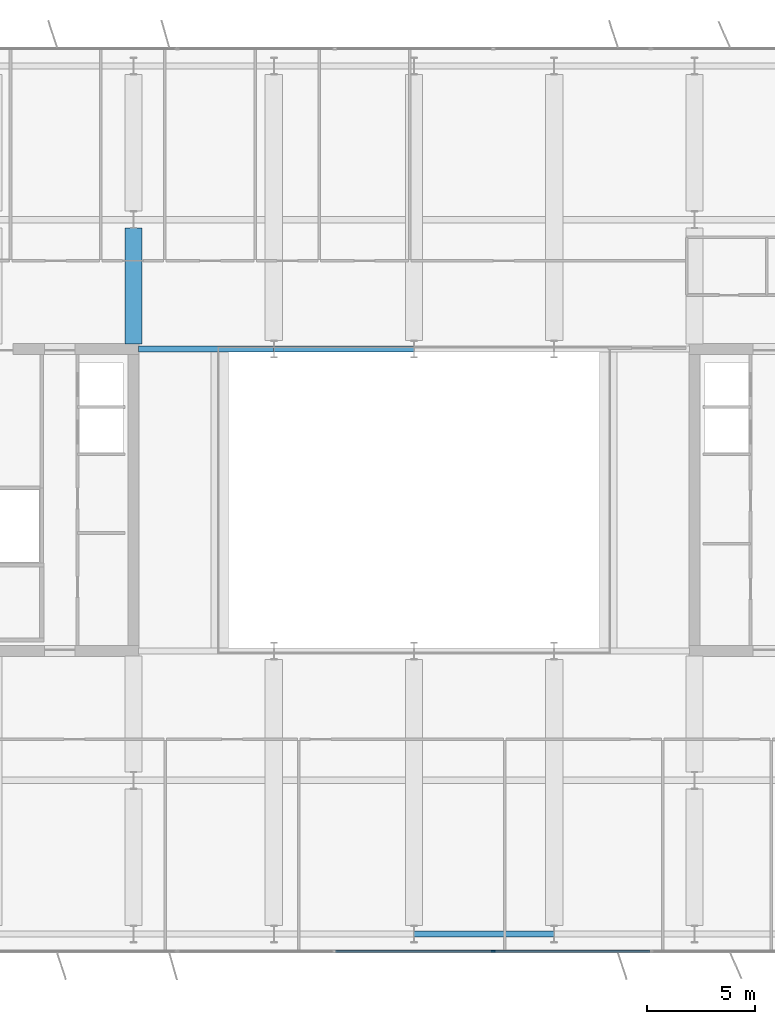
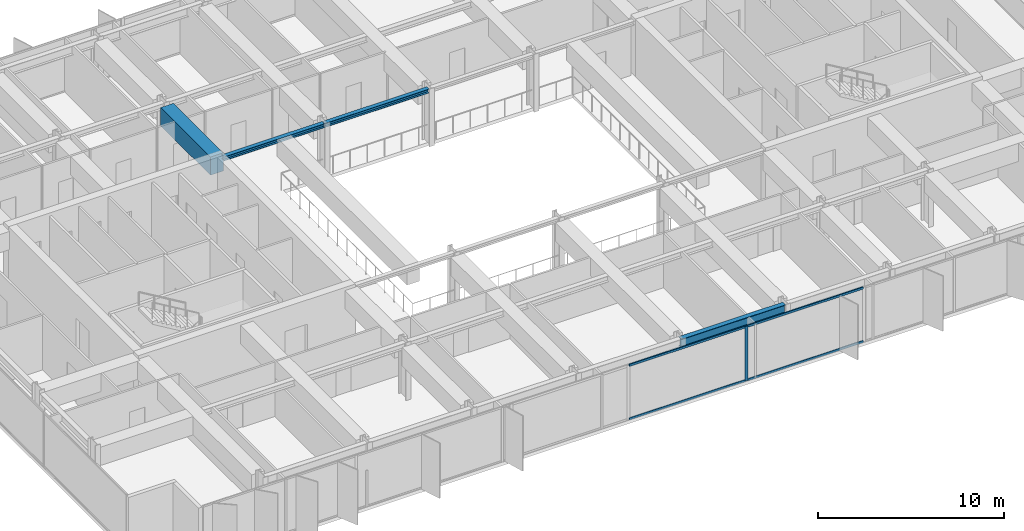
# One storey, part 6 of 24: 5 members, 4 beams, 1 element without a shape of its own.
"""IFC4 building model written with IfcOpenShell, lengths in metres."""

from ifc_helpers import new_model, si_unit, direction, frame, origin, origin_2d, place, context, subcontext, project, spatial, rectangle, i_section, extrude, material, layer, layer_set, material_profile, profile_set, type_object, element, aggregate, save


model = new_model("IFC4")

# Units and contexts
model_context = context("Model", 3, precision=1e-05, world=origin(), true_north=direction((0.0, 1.0)))
body_context = subcontext(model_context, "Body", "Model", "MODEL_VIEW")
ifc_project = project(units=[si_unit("LENGTHUNIT", "METRE"), si_unit("AREAUNIT", "SQUARE_METRE"), si_unit("VOLUMEUNIT", "CUBIC_METRE"), si_unit("PLANEANGLEUNIT", "RADIAN"), si_unit("MASSUNIT", "GRAM", prefix="KILO")], contexts=[model_context])

# Site, building, storey
site_placement = place(None, origin())
site = spatial("IfcSite", under=ifc_project, at=site_placement, CompositionType="ELEMENT")
building_placement = place(site_placement, origin())
building = spatial("IfcBuilding", under=site, at=building_placement, Name="Putna Gate Headquarters", CompositionType="ELEMENT")
storey_placement = place(building_placement, frame((0.0, 0.0, 251.800048828125)))
storey = spatial("IfcBuildingStorey", under=building, at=storey_placement, Name="L63", CompositionType="ELEMENT", Elevation=251.800048828125)

# Beams
ifc_material_1 = material(Name="Steel S355J2", Category="steel")
ifc_material_profile_1 = material_profile(ifc_material_1, i_section(OverallWidth=0.260009765625, OverallDepth=0.260009765625, WebThickness=0.010009765625, FlangeThickness=0.017578125, at=origin_2d()), Name="Steel S355J2")
ifc_profile_set_1 = profile_set([ifc_material_profile_1], Name="Steel S355J2")
beam_type_1 = type_object("IfcBeamType", Name="BM-ATRIUM-HEB260", PredefinedType="BEAM", material=ifc_profile_set_1)
beam_1_placement = place(storey_placement, frame((26.235107421875, 33.0, 3.4580078125), z_axis=(1.0, 0.0, 0.0), x_axis=(0.0, 1.0, 0.0)))
element("IfcBeam", 1, at=beam_1_placement, inside=storey, type_object=beam_type_1, Name="L63 Atrium Edge Beam AN1", PredefinedType="BEAM", context=body_context, shape_type="SweptSolid", body=[
    extrude(i_section(OverallWidth=0.260009765625, OverallDepth=0.260009765625, WebThickness=0.010009765625, FlangeThickness=0.017578125, at=origin_2d()), origin(), (0.0, 0.0, 1.0), 6.2587890625),
])
beam_2_placement = place(storey_placement, frame((32.506103515625, 33.0, 3.4580078125), z_axis=(1.0, 0.0, 0.0), x_axis=(0.0, 1.0, 0.0)))
element("IfcBeam", 2, at=beam_2_placement, inside=storey, type_object=beam_type_1, Name="L63 Atrium Edge Beam AN2", PredefinedType="BEAM", context=body_context, shape_type="SweptSolid", body=[
    extrude(i_section(OverallWidth=0.260009765625, OverallDepth=0.260009765625, WebThickness=0.010009765625, FlangeThickness=0.017578125, at=origin_2d()), origin(), (0.0, 0.0, 1.0), 6.48779296875),
])
ifc_material_profile_2 = material_profile(ifc_material_1, i_section(OverallWidth=0.300048828125, OverallDepth=0.590087890625, WebThickness=0.012939453125, FlangeThickness=0.02490234375, at=origin_2d()), Name="Steel S355J2")
ifc_profile_set_2 = profile_set([ifc_material_profile_2], Name="Steel S355J2")
beam_type_2 = type_object("IfcBeamType", Name="BM-SPAN-Z4-HEA600", PredefinedType="SPANDREL", material=ifc_profile_set_2)
beam_3_placement = place(storey_placement, frame((39.006103515625, 5.8798828125, 3.29296875), z_axis=(1.0, 0.0, 0.0), x_axis=(0.0, 1.0, 0.0)))
element("IfcBeam", 3, at=beam_3_placement, inside=storey, type_object=beam_type_2, Name="L63 S Perimeter Spandrel 5", PredefinedType="SPANDREL", context=body_context, shape_type="SweptSolid", body=[
    extrude(i_section(OverallWidth=0.300048828125, OverallDepth=0.590087890625, WebThickness=0.012939453125, FlangeThickness=0.02490234375, at=origin_2d()), origin(), (0.0, 0.0, 1.0), 6.48779296875),
])
ifc_material_2 = material(Name="Concrete C50/60", Category="concrete")
ifc_material_profile_3 = material_profile(ifc_material_2, rectangle(XDim=0.800048828125, YDim=1.199951171875, at=origin_2d()), Name="Concrete C50/60")
ifc_profile_set_3 = profile_set([ifc_material_profile_3], Name="Concrete C50/60")
beam_type_3 = type_object("IfcBeamType", Name="BM-TG-RC1200", PredefinedType="USERDEFINED", material=ifc_profile_set_3)
beam_4_placement = place(storey_placement, frame((26.0, 33.235107421875, 2.988037109375), z_axis=(0.0, 1.0, 0.0), x_axis=(-1.0, 0.0, 0.0)))
element("IfcBeam", 4, at=beam_4_placement, inside=storey, type_object=beam_type_3, Name="L63 North Primary Girder X26-1", ObjectType="GIRDER", PredefinedType="USERDEFINED", context=body_context, shape_type="SweptSolid", body=[
    extrude(rectangle(XDim=0.800048828125, YDim=1.199951171875, at=origin_2d()), origin(), (0.0, 0.0, 1.0), 5.369873046875),
])

# Curtain wall, members
ifc_material_3 = material(Name="Anodised bronze aluminium curtain wall", Category="aluminium")
ifc_layer = layer(ifc_material_3, 0.179931640625)
ifc_layer_set = layer_set([ifc_layer], Name="Anodised bronze aluminium curtain wall")
curtain_wall_type = type_object("IfcCurtainWallType", Name="CW-SYS-ATR", PredefinedType="USERDEFINED", material=ifc_layer_set)
curtain_wall_placement = place(storey_placement, origin())
curtain_wall = element("IfcCurtainWall", 5, at=curtain_wall_placement, inside=storey, type_object=curtain_wall_type, Name="L63 South Atrium Clear Glazing", ObjectType="ATRIUM GLAZING", PredefinedType="USERDEFINED")
ifc_material_4 = material(Name="Anodised bronze aluminium EN AW-6060", Category="aluminium")
ifc_material_profile_4 = material_profile(ifc_material_4, rectangle(XDim=0.070068359375, YDim=0.179931640625, at=origin_2d()), Name="Anodised bronze aluminium EN AW-6060")
ifc_profile_set_4 = profile_set([ifc_material_profile_4], Name="Anodised bronze aluminium EN AW-6060")
member_type_1 = type_object("IfcMemberType", Name="MULL-CWM-AT", PredefinedType="MULLION", material=ifc_profile_set_4)
member_1_placement = place(storey_placement, frame((42.666748046875, 5.080078125, 0.0), z_axis=(0.0, 0.0, 1.0), x_axis=(0.0, 1.0, 0.0)))
member_1 = element("IfcMember", 6, at=member_1_placement, type_object=member_type_1, Name="CWS-AT mullion 3", PredefinedType="MULLION", context=body_context, shape_type="SweptSolid", body=[
    extrude(rectangle(XDim=0.070068359375, YDim=0.179931640625, at=origin_2d()), origin(), (0.0, 0.0, 1.0), 3.587890625),
])
ifc_material_profile_5 = material_profile(ifc_material_4, rectangle(XDim=0.070068359375, YDim=0.139892578125, at=origin_2d()), Name="Anodised bronze aluminium EN AW-6060")
ifc_profile_set_5 = profile_set([ifc_material_profile_5], Name="Anodised bronze aluminium EN AW-6060")
member_type_2 = type_object("IfcMemberType", Name="TRAN-CWT-AT", PredefinedType="USERDEFINED", material=ifc_profile_set_5)
member_2_placement = place(storey_placement, frame((35.368408203125, 5.080078125, 0.034912109375), z_axis=(1.0, 0.0, 0.0), x_axis=(0.0, 1.0, 0.0)))
member_2 = element("IfcMember", 7, at=member_2_placement, type_object=member_type_2, Name="CWS-AT transom 2.1", ObjectType="TRANSOM", PredefinedType="USERDEFINED", context=body_context, shape_type="SweptSolid", body=[
    extrude(rectangle(XDim=0.070068359375, YDim=0.139892578125, at=origin_2d()), origin(), (0.0, 0.0, 1.0), 7.26318359375),
])
member_3_placement = place(storey_placement, frame((35.368408203125, 5.080078125, 3.552978515625), z_axis=(1.0, 0.0, 0.0), x_axis=(0.0, 1.0, 0.0)))
member_3 = element("IfcMember", 8, at=member_3_placement, type_object=member_type_2, Name="CWS-AT transom 2.2", ObjectType="TRANSOM", PredefinedType="USERDEFINED", context=body_context, shape_type="SweptSolid", body=[
    extrude(rectangle(XDim=0.070068359375, YDim=0.139892578125, at=origin_2d()), origin(), (0.0, 0.0, 1.0), 7.26318359375),
])
member_4_placement = place(storey_placement, frame((42.70166015625, 5.080078125, 0.034912109375), z_axis=(1.0, 0.0, 0.0), x_axis=(0.0, 1.0, 0.0)))
member_4 = element("IfcMember", 9, at=member_4_placement, type_object=member_type_2, Name="CWS-AT transom 3.1", ObjectType="TRANSOM", PredefinedType="USERDEFINED", context=body_context, shape_type="SweptSolid", body=[
    extrude(rectangle(XDim=0.070068359375, YDim=0.139892578125, at=origin_2d()), origin(), (0.0, 0.0, 1.0), 7.228271484375),
])
member_5_placement = place(storey_placement, frame((42.70166015625, 5.080078125, 3.552978515625), z_axis=(1.0, 0.0, 0.0), x_axis=(0.0, 1.0, 0.0)))
member_5 = element("IfcMember", 10, at=member_5_placement, type_object=member_type_2, Name="CWS-AT transom 3.2", ObjectType="TRANSOM", PredefinedType="USERDEFINED", context=body_context, shape_type="SweptSolid", body=[
    extrude(rectangle(XDim=0.070068359375, YDim=0.139892578125, at=origin_2d()), origin(), (0.0, 0.0, 1.0), 7.228271484375),
])
aggregate(curtain_wall, [member_1, member_2, member_3, member_4, member_5])

save(model, "model.ifc")
